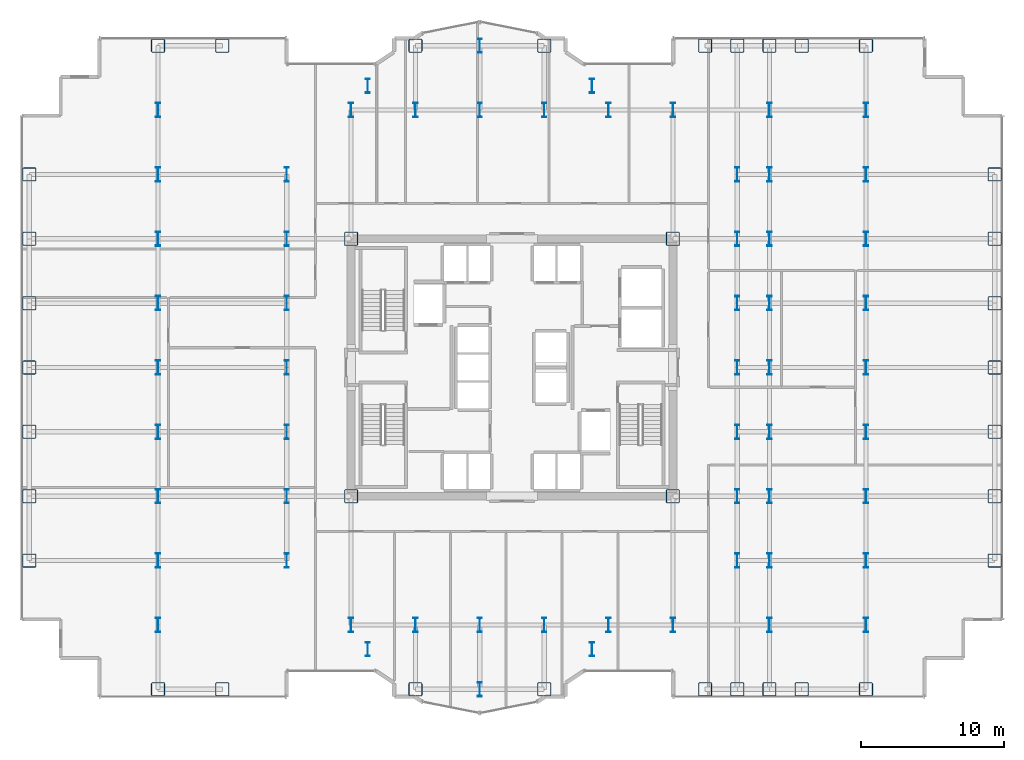
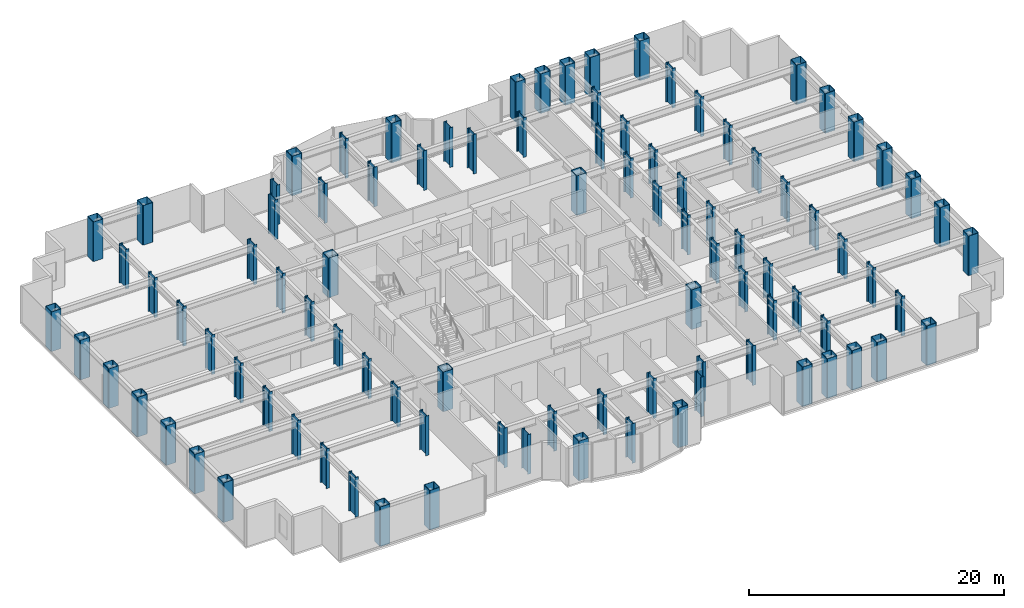
# One storey, part 1 of 25: 95 columns.
"""IFC4 building model written with IfcOpenShell, lengths in metres."""

from ifc_helpers import new_model, si_unit, direction, frame, origin, origin_2d, place, context, subcontext, project, spatial, hollow_rectangle, i_section, extrude, source, transform, mapped, material, material_profile, profile_set, type_object, element, save


model = new_model("IFC4")

# Units and contexts
model_context = context("Model", 3, precision=1e-05, world=origin(), true_north=direction((0.0, 1.0)))
body_context = subcontext(model_context, "Body", "Model", "MODEL_VIEW")
ifc_project = project(units=[si_unit("LENGTHUNIT", "METRE"), si_unit("AREAUNIT", "SQUARE_METRE"), si_unit("VOLUMEUNIT", "CUBIC_METRE"), si_unit("PLANEANGLEUNIT", "RADIAN"), si_unit("MASSUNIT", "GRAM", prefix="KILO")], contexts=[model_context])

# Site, building, storey
site_placement = place(None, origin())
site = spatial("IfcSite", under=ifc_project, at=site_placement, CompositionType="ELEMENT")
building_placement = place(site_placement, origin())
building = spatial("IfcBuilding", under=site, at=building_placement, Name="Nefas-Gora Pilgrimage Tower", CompositionType="ELEMENT")
storey_placement = place(building_placement, frame((0.0, 0.0, 98.39990234375)))
storey = spatial("IfcBuildingStorey", under=building, at=storey_placement, Name="L23", CompositionType="ELEMENT", Elevation=98.39990234375)

# Columns
ifc_material = material(Name="Steel S460", Category="steel")
ifc_material_profile_1 = material_profile(ifc_material, hollow_rectangle(XDim=0.949951171875, YDim=0.949951171875, WallThickness=0.044921875, InnerFilletRadius=0.044921875, OuterFilletRadius=0.090087890625, at=origin_2d()), Name="BOX 950x950x45")
ifc_profile_set_1 = profile_set([ifc_material_profile_1], Name="Steel S460")
column_type_1 = type_object("IfcColumnType", Name="COL-TUBE-950", PredefinedType="COLUMN", material=ifc_profile_set_1)
shared_shape_1 = source(origin(), body_context, "Body", "SweptSolid", [
    extrude(hollow_rectangle(XDim=0.949951171875, YDim=0.949951171875, WallThickness=0.044921875, InnerFilletRadius=0.044921875, OuterFilletRadius=0.090087890625, at=origin_2d()), origin(), (0.0, 0.0, 1.0), 3.800048828125),
])
for number, where, z_axis, x_axis, name in (
    (1, (-33.75, -13.5, 0.0), (0.0, 0.0, 1.0), (1.0, 0.0, 0.0), "L23 Tower Column C-Z1.1"),
    (2, (-33.75, -9.0, 0.0), (0.0, 0.0, 1.0), (1.0, 0.0, 0.0), "L23 Tower Column C-Z1.2"),
    (3, (-33.75, -4.5, 0.0), (0.0, 0.0, 1.0), (1.0, 0.0, 0.0), "L23 Tower Column C-Z1.3"),
    (4, (-33.75, 0.0, 0.0), (0.0, 0.0, 1.0), (1.0, 0.0, 0.0), "L23 Tower Column C-Z1.4"),
    (5, (-33.75, 4.5, 0.0), (0.0, 0.0, 1.0), (1.0, 0.0, 0.0), "L23 Tower Column C-Z1.5"),
    (6, (-33.75, 9.0, 0.0), (0.0, 0.0, 1.0), (1.0, 0.0, 0.0), "L23 Tower Column C-Z1.6"),
    (7, (-33.75, 13.5, 0.0), (0.0, 0.0, 1.0), (1.0, 0.0, 0.0), "L23 Tower Column C-Z1.7"),
    (8, (-24.75, -22.5, 0.0), (0.0, 0.0, 1.0), (1.0, 0.0, 0.0), "L23 Tower Column C-Z1.8"),
    (9, (-24.75, 22.5, 0.0), (0.0, 0.0, 1.0), (1.0, 0.0, 0.0), "L23 Tower Column C-Z1.18"),
    (10, (-20.25, -22.5, 0.0), (0.0, 0.0, 1.0), (1.0, 0.0, 0.0), "L23 Tower Column C-Z1.19"),
    (11, (-20.25, 22.5, 0.0), (0.0, 0.0, 1.0), (1.0, 0.0, 0.0), "L23 Tower Column C-Z1.20"),
    (12, (-6.75, -22.5, 0.0), (0.0, 0.0, 1.0), (1.0, 0.0, 0.0), "L23 Tower Column C-Z1.34"),
    (13, (-6.75, 22.5, 0.0), (0.0, 0.0, 1.0), (1.0, 0.0, 0.0), "L23 Tower Column C-Z1.37"),
    (14, (2.25, -22.5, 0.0), (0.0, 0.0, 1.0), (1.0, 0.0, 0.0), "L23 Tower Column C-Z1.42"),
    (15, (2.25, 22.5, 0.0), (0.0, 0.0, 1.0), (1.0, 0.0, 0.0), "L23 Tower Column C-Z1.45"),
    (16, (13.5, -22.5, 0.0), (0.0, 0.0, 1.0), (1.0, 0.0, 0.0), "L23 Tower Column C-Z1.54"),
    (17, (13.5, 22.5, 0.0), (0.0, 0.0, 1.0), (1.0, 0.0, 0.0), "L23 Tower Column C-Z1.55"),
    (18, (15.75, -22.5, 0.0), (0.0, 0.0, 1.0), (1.0, 0.0, 0.0), "L23 Tower Column C-Z1.56"),
    (19, (15.75, 22.5, 0.0), (0.0, 0.0, 1.0), (1.0, 0.0, 0.0), "L23 Tower Column C-Z1.64"),
    (20, (18.0, -22.5, 0.0), (0.0, 0.0, 1.0), (1.0, 0.0, 0.0), "L23 Tower Column C-Z1.65"),
    (21, (18.0, 22.5, 0.0), (0.0, 0.0, 1.0), (1.0, 0.0, 0.0), "L23 Tower Column C-Z1.75"),
    (22, (20.25, -22.5, 0.0), (0.0, 0.0, 1.0), (1.0, 0.0, 0.0), "L23 Tower Column C-Z1.76"),
    (23, (20.25, 22.5, 0.0), (0.0, 0.0, 1.0), (1.0, 0.0, 0.0), "L23 Tower Column C-Z1.77"),
    (24, (24.75, -22.5, 0.0), (0.0, 0.0, 1.0), (1.0, 0.0, 0.0), "L23 Tower Column C-Z1.78"),
    (25, (24.75, 22.5, 0.0), (0.0, 0.0, 1.0), (1.0, 0.0, 0.0), "L23 Tower Column C-Z1.88"),
    (26, (33.75, -13.5, 0.0), (0.0, 0.0, 1.0), (1.0, 0.0, 0.0), "L23 Tower Column C-Z1.89"),
    (27, (33.75, -9.0, 0.0), (0.0, 0.0, 1.0), (1.0, 0.0, 0.0), "L23 Tower Column C-Z1.90"),
    (28, (33.75, -4.5, 0.0), (0.0, 0.0, 1.0), (1.0, 0.0, 0.0), "L23 Tower Column C-Z1.91"),
    (29, (33.75, 0.0, 0.0), (0.0, 0.0, 1.0), (1.0, 0.0, 0.0), "L23 Tower Column C-Z1.92"),
    (30, (33.75, 4.5, 0.0), (0.0, 0.0, 1.0), (1.0, 0.0, 0.0), "L23 Tower Column C-Z1.93"),
    (31, (33.75, 9.0, 0.0), (0.0, 0.0, 1.0), (1.0, 0.0, 0.0), "L23 Tower Column C-Z1.94"),
    (32, (33.75, 13.5, 0.0), (0.0, 0.0, 1.0), (1.0, 0.0, 0.0), "L23 Tower Column C-Z1.95"),
):
    element("IfcColumn", number, at=place(storey_placement, frame(where, z_axis=z_axis, x_axis=x_axis)), inside=storey, type_object=column_type_1, Name=name, PredefinedType="COLUMN", context=body_context, shape_type="MappedRepresentation", body=[
        mapped(shared_shape_1, transform((0.0, 0.0, 0.0), x_axis=(1.0, 0.0, 0.0), y_axis=(0.0, 1.0, 0.0), z_axis=(0.0, 0.0, 1.0), scale=1.0)),
    ])
ifc_material_profile_2 = material_profile(ifc_material, i_section(OverallWidth=0.302001953125, OverallDepth=1.008056640625, WebThickness=0.02099609375, FlangeThickness=0.0400390625, FilletRadius=0.030029296875, at=origin_2d()), Name="HEM 1000")
ifc_profile_set_2 = profile_set([ifc_material_profile_2], Name="Steel S460")
column_type_2 = type_object("IfcColumnType", Name="COL-WEB-HEM1000", PredefinedType="COLUMN", material=ifc_profile_set_2)
shared_shape_2 = source(origin(), body_context, "Body", "SweptSolid", [
    extrude(i_section(OverallWidth=0.302001953125, OverallDepth=1.008056640625, WebThickness=0.02099609375, FlangeThickness=0.0400390625, FilletRadius=0.030029296875, at=origin_2d()), origin(), (0.0, 0.0, 1.0), 3.800048828125),
])
for number, where, z_axis, x_axis, name in (
    (33, (-24.75, -18.0, 0.0), (0.0, 0.0, 1.0), (1.0, 0.0, 0.0), "L23 Tower Column CW-01.9"),
    (34, (-24.75, -13.5, 0.0), (0.0, 0.0, 1.0), (1.0, 0.0, 0.0), "L23 Tower Column CW-01.10"),
    (35, (-24.75, -9.0, 0.0), (0.0, 0.0, 1.0), (1.0, 0.0, 0.0), "L23 Tower Column CW-01.11"),
    (36, (-24.75, -4.5, 0.0), (0.0, 0.0, 1.0), (1.0, 0.0, 0.0), "L23 Tower Column CW-01.12"),
    (37, (-24.75, 0.0, 0.0), (0.0, 0.0, 1.0), (1.0, 0.0, 0.0), "L23 Tower Column CW-01.13"),
    (38, (-24.75, 4.5, 0.0), (0.0, 0.0, 1.0), (1.0, 0.0, 0.0), "L23 Tower Column CW-01.14"),
    (39, (-24.75, 9.0, 0.0), (0.0, 0.0, 1.0), (1.0, 0.0, 0.0), "L23 Tower Column CW-01.15"),
    (40, (-24.75, 13.5, 0.0), (0.0, 0.0, 1.0), (1.0, 0.0, 0.0), "L23 Tower Column CW-01.16"),
    (41, (-24.75, 18.0, 0.0), (0.0, 0.0, 1.0), (1.0, 0.0, 0.0), "L23 Tower Column CW-01.17"),
    (42, (-15.75, -13.5, 0.0), (0.0, 0.0, 1.0), (1.0, 0.0, 0.0), "L23 Tower Column CW-01.21"),
    (43, (-15.75, -9.0, 0.0), (0.0, 0.0, 1.0), (1.0, 0.0, 0.0), "L23 Tower Column CW-01.22"),
    (44, (-15.75, -4.5, 0.0), (0.0, 0.0, 1.0), (1.0, 0.0, 0.0), "L23 Tower Column CW-01.23"),
    (45, (-15.75, 0.0, 0.0), (0.0, 0.0, 1.0), (1.0, 0.0, 0.0), "L23 Tower Column CW-01.24"),
    (46, (-15.75, 4.5, 0.0), (0.0, 0.0, 1.0), (1.0, 0.0, 0.0), "L23 Tower Column CW-01.25"),
    (47, (-15.75, 9.0, 0.0), (0.0, 0.0, 1.0), (1.0, 0.0, 0.0), "L23 Tower Column CW-01.26"),
    (48, (-15.75, 13.5, 0.0), (0.0, 0.0, 1.0), (1.0, 0.0, 0.0), "L23 Tower Column CW-01.27"),
    (49, (-11.25, -18.0, 0.0), (0.0, 0.0, 1.0), (1.0, 0.0, 0.0), "L23 Tower Column CW-01.28"),
    (50, (-11.25, 18.0, 0.0), (0.0, 0.0, 1.0), (1.0, 0.0, 0.0), "L23 Tower Column CW-01.31"),
    (51, (-10.091064453125, -19.696044921875, 0.0), (0.0, 0.0, 1.0), (1.0, 0.0, 0.0), "L23 Tower Column CW-01.32"),
    (52, (-10.091064453125, 19.696044921875, 0.0), (0.0, 0.0, 1.0), (1.0, 0.0, 0.0), "L23 Tower Column CW-01.33"),
    (53, (-6.75, -18.0, 0.0), (0.0, 0.0, 1.0), (1.0, 0.0, 0.0), "L23 Tower Column CW-01.35"),
    (54, (-6.75, 18.0, 0.0), (0.0, 0.0, 1.0), (1.0, 0.0, 0.0), "L23 Tower Column CW-01.36"),
    (55, (-2.25, -22.5, 0.0), (0.0, 0.0, 1.0), (1.0, 0.0, 0.0), "L23 Tower Column CW-01.38"),
    (56, (-2.25, -18.0, 0.0), (0.0, 0.0, 1.0), (1.0, 0.0, 0.0), "L23 Tower Column CW-01.39"),
    (57, (-2.25, 18.0, 0.0), (0.0, 0.0, 1.0), (1.0, 0.0, 0.0), "L23 Tower Column CW-01.40"),
    (58, (-2.25, 22.5, 0.0), (0.0, 0.0, 1.0), (1.0, 0.0, 0.0), "L23 Tower Column CW-01.41"),
    (59, (2.25, -18.0, 0.0), (0.0, 0.0, 1.0), (1.0, 0.0, 0.0), "L23 Tower Column CW-01.43"),
    (60, (2.25, 18.0, 0.0), (0.0, 0.0, 1.0), (1.0, 0.0, 0.0), "L23 Tower Column CW-01.44"),
    (61, (5.591064453125, -19.696044921875, 0.0), (0.0, 0.0, 1.0), (1.0, 0.0, 0.0), "L23 Tower Column CW-01.46"),
    (62, (5.591064453125, 19.696044921875, 0.0), (0.0, 0.0, 1.0), (1.0, 0.0, 0.0), "L23 Tower Column CW-01.47"),
    (63, (6.75, -18.0, 0.0), (0.0, 0.0, 1.0), (1.0, 0.0, 0.0), "L23 Tower Column CW-01.48"),
    (64, (6.75, 18.0, 0.0), (0.0, 0.0, 1.0), (1.0, 0.0, 0.0), "L23 Tower Column CW-01.49"),
    (65, (11.25, -18.0, 0.0), (0.0, 0.0, 1.0), (1.0, 0.0, 0.0), "L23 Tower Column CW-01.50"),
    (66, (11.25, 18.0, 0.0), (0.0, 0.0, 1.0), (1.0, 0.0, 0.0), "L23 Tower Column CW-01.53"),
    (67, (15.75, -13.5, 0.0), (0.0, 0.0, 1.0), (1.0, 0.0, 0.0), "L23 Tower Column CW-01.57"),
    (68, (15.75, -9.0, 0.0), (0.0, 0.0, 1.0), (1.0, 0.0, 0.0), "L23 Tower Column CW-01.58"),
    (69, (15.75, -4.5, 0.0), (0.0, 0.0, 1.0), (1.0, 0.0, 0.0), "L23 Tower Column CW-01.59"),
    (70, (15.75, 0.0, 0.0), (0.0, 0.0, 1.0), (1.0, 0.0, 0.0), "L23 Tower Column CW-01.60"),
    (71, (15.75, 4.5, 0.0), (0.0, 0.0, 1.0), (1.0, 0.0, 0.0), "L23 Tower Column CW-01.61"),
    (72, (15.75, 9.0, 0.0), (0.0, 0.0, 1.0), (1.0, 0.0, 0.0), "L23 Tower Column CW-01.62"),
    (73, (15.75, 13.5, 0.0), (0.0, 0.0, 1.0), (1.0, 0.0, 0.0), "L23 Tower Column CW-01.63"),
    (74, (18.0, -18.0, 0.0), (0.0, 0.0, 1.0), (1.0, 0.0, 0.0), "L23 Tower Column CW-01.66"),
    (75, (18.0, -13.5, 0.0), (0.0, 0.0, 1.0), (1.0, 0.0, 0.0), "L23 Tower Column CW-01.67"),
    (76, (18.0, -9.0, 0.0), (0.0, 0.0, 1.0), (1.0, 0.0, 0.0), "L23 Tower Column CW-01.68"),
    (77, (18.0, -4.5, 0.0), (0.0, 0.0, 1.0), (1.0, 0.0, 0.0), "L23 Tower Column CW-01.69"),
    (78, (18.0, 0.0, 0.0), (0.0, 0.0, 1.0), (1.0, 0.0, 0.0), "L23 Tower Column CW-01.70"),
    (79, (18.0, 4.5, 0.0), (0.0, 0.0, 1.0), (1.0, 0.0, 0.0), "L23 Tower Column CW-01.71"),
    (80, (18.0, 9.0, 0.0), (0.0, 0.0, 1.0), (1.0, 0.0, 0.0), "L23 Tower Column CW-01.72"),
    (81, (18.0, 13.5, 0.0), (0.0, 0.0, 1.0), (1.0, 0.0, 0.0), "L23 Tower Column CW-01.73"),
    (82, (18.0, 18.0, 0.0), (0.0, 0.0, 1.0), (1.0, 0.0, 0.0), "L23 Tower Column CW-01.74"),
    (83, (24.75, -18.0, 0.0), (0.0, 0.0, 1.0), (1.0, 0.0, 0.0), "L23 Tower Column CW-01.79"),
    (84, (24.75, -13.5, 0.0), (0.0, 0.0, 1.0), (1.0, 0.0, 0.0), "L23 Tower Column CW-01.80"),
    (85, (24.75, -9.0, 0.0), (0.0, 0.0, 1.0), (1.0, 0.0, 0.0), "L23 Tower Column CW-01.81"),
    (86, (24.75, -4.5, 0.0), (0.0, 0.0, 1.0), (1.0, 0.0, 0.0), "L23 Tower Column CW-01.82"),
    (87, (24.75, 0.0, 0.0), (0.0, 0.0, 1.0), (1.0, 0.0, 0.0), "L23 Tower Column CW-01.83"),
    (88, (24.75, 4.5, 0.0), (0.0, 0.0, 1.0), (1.0, 0.0, 0.0), "L23 Tower Column CW-01.84"),
    (89, (24.75, 9.0, 0.0), (0.0, 0.0, 1.0), (1.0, 0.0, 0.0), "L23 Tower Column CW-01.85"),
    (90, (24.75, 13.5, 0.0), (0.0, 0.0, 1.0), (1.0, 0.0, 0.0), "L23 Tower Column CW-01.86"),
    (91, (24.75, 18.0, 0.0), (0.0, 0.0, 1.0), (1.0, 0.0, 0.0), "L23 Tower Column CW-01.87"),
):
    element("IfcColumn", number, at=place(storey_placement, frame(where, z_axis=z_axis, x_axis=x_axis)), inside=storey, type_object=column_type_2, Name=name, PredefinedType="COLUMN", context=body_context, shape_type="MappedRepresentation", body=[
        mapped(shared_shape_2, transform((0.0, 0.0, 0.0), x_axis=(1.0, 0.0, 0.0), y_axis=(0.0, 1.0, 0.0), z_axis=(0.0, 0.0, 1.0), scale=1.0)),
    ])
ifc_material_profile_3 = material_profile(ifc_material, hollow_rectangle(XDim=0.949951171875, YDim=0.949951171875, WallThickness=0.044921875, InnerFilletRadius=0.044921875, OuterFilletRadius=0.090087890625, at=origin_2d()), Name="BOX 950x950x45")
ifc_profile_set_3 = profile_set([ifc_material_profile_3], Name="Steel S460")
column_type_3 = type_object("IfcColumnType", Name="COL-CORE-950", PredefinedType="COLUMN", material=ifc_profile_set_3)
shared_shape_3 = source(origin(), body_context, "Body", "SweptSolid", [
    extrude(hollow_rectangle(XDim=0.949951171875, YDim=0.949951171875, WallThickness=0.044921875, InnerFilletRadius=0.044921875, OuterFilletRadius=0.090087890625, at=origin_2d()), origin(), (0.0, 0.0, 1.0), 3.800048828125),
])
for number, where, z_axis, x_axis, name in (
    (92, (-11.25, -9.0, 0.0), (0.0, 0.0, 1.0), (1.0, 0.0, 0.0), "L23 Tower Column CC-Z1.29"),
    (93, (-11.25, 9.0, 0.0), (0.0, 0.0, 1.0), (1.0, 0.0, 0.0), "L23 Tower Column CC-Z1.30"),
    (94, (11.25, -9.0, 0.0), (0.0, 0.0, 1.0), (1.0, 0.0, 0.0), "L23 Tower Column CC-Z1.51"),
    (95, (11.25, 9.0, 0.0), (0.0, 0.0, 1.0), (1.0, 0.0, 0.0), "L23 Tower Column CC-Z1.52"),
):
    element("IfcColumn", number, at=place(storey_placement, frame(where, z_axis=z_axis, x_axis=x_axis)), inside=storey, type_object=column_type_3, Name=name, PredefinedType="COLUMN", context=body_context, shape_type="MappedRepresentation", body=[
        mapped(shared_shape_3, transform((0.0, 0.0, 0.0), x_axis=(1.0, 0.0, 0.0), y_axis=(0.0, 1.0, 0.0), z_axis=(0.0, 0.0, 1.0), scale=1.0)),
    ])

save(model, "model.ifc")
